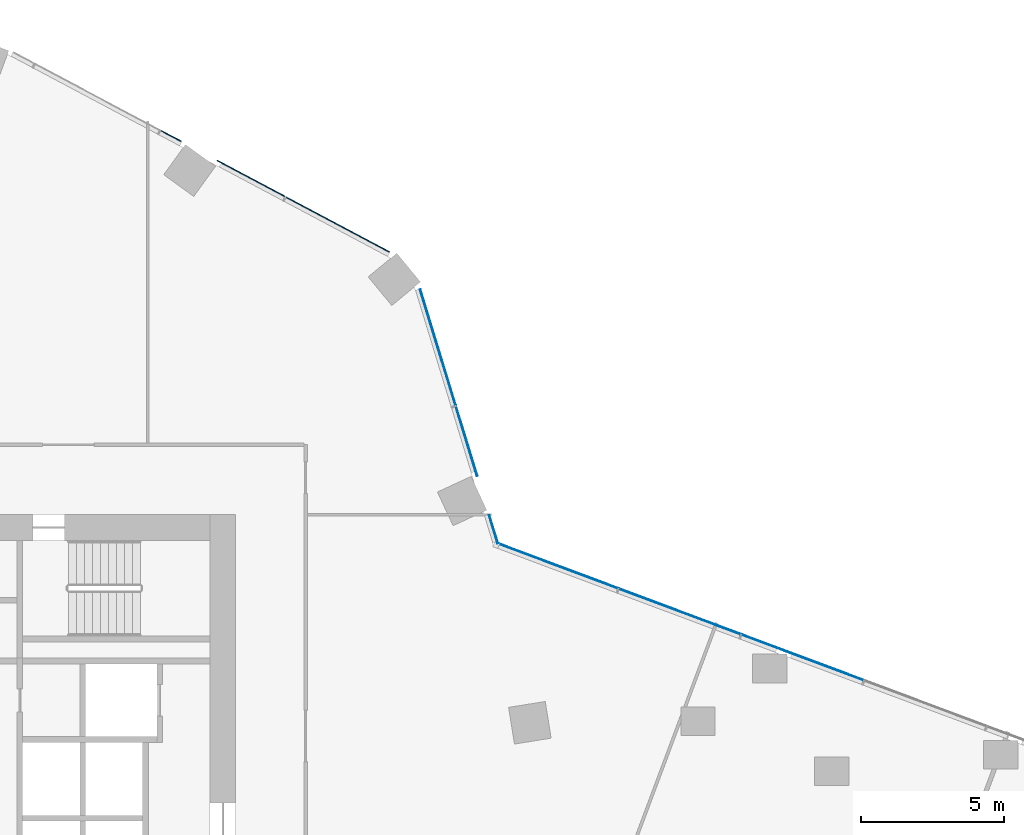
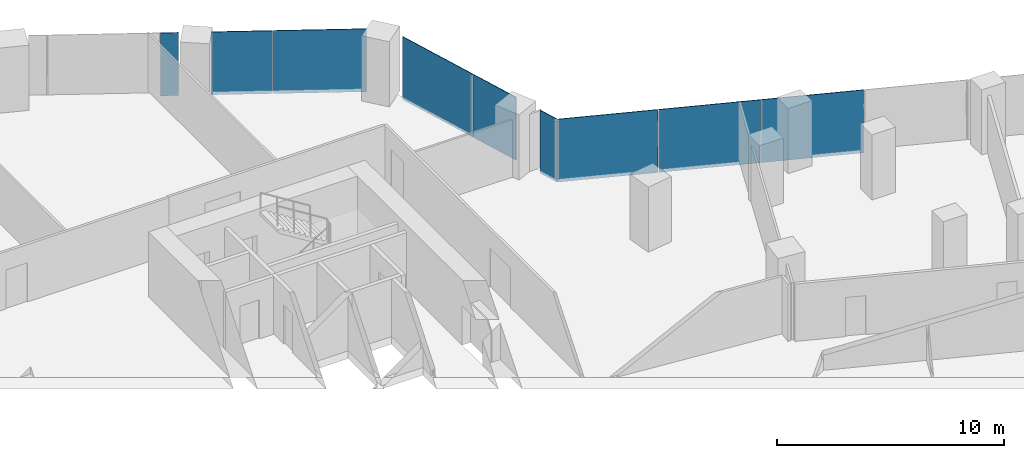
# One storey, part 22 of 31: 9 plates, 3 elements without a shape of their own.
"""IFC4 building model written with IfcOpenShell, lengths in metres."""

from ifc_helpers import new_model, si_unit, direction, frame, origin, origin_2d, place, context, subcontext, project, spatial, rectangle, extrude, material, layer, layer_set, type_object, element, aggregate, save


model = new_model("IFC4")

# Units and contexts
model_context = context("Model", 3, precision=1e-05, world=origin(), true_north=direction((0.0, 1.0)))
body_context = subcontext(model_context, "Body", "Model", "MODEL_VIEW")
ifc_project = project(units=[si_unit("LENGTHUNIT", "METRE"), si_unit("AREAUNIT", "SQUARE_METRE"), si_unit("VOLUMEUNIT", "CUBIC_METRE"), si_unit("PLANEANGLEUNIT", "RADIAN"), si_unit("MASSUNIT", "GRAM", prefix="KILO")], contexts=[model_context])

# Site, building, storey
site_placement = place(None, origin())
site = spatial("IfcSite", under=ifc_project, at=site_placement, CompositionType="ELEMENT")
building_placement = place(site_placement, origin())
building = spatial("IfcBuilding", under=site, at=building_placement, Name="Orlundy Tower", CompositionType="ELEMENT")
storey_placement = place(building_placement, frame((0.0, 0.0, 87.699951171875)))
storey = spatial("IfcBuildingStorey", under=building, at=storey_placement, Name="L21", CompositionType="ELEMENT", Elevation=87.699951171875)

# Curtain wall, plates
ifc_material_1 = material(Name="Aluminium bronze anodised", Category="aluminium")
curtain_wall_type = type_object("IfcCurtainWallType", Name="CW1 wall", PredefinedType="NOTDEFINED", material=ifc_material_1)
curtain_wall_1_placement = place(storey_placement, origin())
curtain_wall_1 = element("IfcCurtainWall", 1, at=curtain_wall_1_placement, inside=storey, type_object=curtain_wall_type, Name="CW1 run 04", PredefinedType="NOTDEFINED")
ifc_material_2 = material(Name="Tinted glass", Category="glass")
ifc_layer = layer(ifc_material_2, 0.031982421875)
ifc_layer_set = layer_set([ifc_layer], Name="CW1 glass panel 32")
plate_type = type_object("IfcPlateType", Name="CW1 glass panel 32", PredefinedType="CURTAIN_PANEL", material=ifc_layer_set)
plate_1_placement = place(storey_placement, frame((16.729248046875, 25.267822265625, -0.27978515625), z_axis=(0.0, 0.0, 1.0), x_axis=(0.882961465544, -0.469445471129, 0.0)))
plate_1 = element("IfcPlate", 2, at=plate_1_placement, type_object=plate_type, Name="CW1 panel", PredefinedType="CURTAIN_PANEL", context=body_context, shape_type="SweptSolid", body=[
    extrude(rectangle(XDim=0.796875, YDim=0.031982421875, at=origin_2d()), origin(), (0.0, 0.0, 1.0), 3.3798828125),
])
plate_2_placement = place(storey_placement, frame((19.534912109375, 23.776123046875, -0.27978515625), z_axis=(0.0, 0.0, 1.0), x_axis=(0.882961465544, -0.469445471129, 0.0)))
plate_2 = element("IfcPlate", 3, at=plate_2_placement, type_object=plate_type, Name="CW1 panel", PredefinedType="CURTAIN_PANEL", context=body_context, shape_type="SweptSolid", body=[
    extrude(rectangle(XDim=2.68896484375, YDim=0.031982421875, at=origin_2d()), origin(), (0.0, 0.0, 1.0), 3.3798828125),
])
plate_3_placement = place(storey_placement, frame((22.57373046875, 22.160400390625, -0.27978515625), z_axis=(0.0, 0.0, 1.0), x_axis=(0.882961465544, -0.469445471129, 0.0)))
plate_3 = element("IfcPlate", 4, at=plate_3_placement, type_object=plate_type, Name="CW1 panel", PredefinedType="CURTAIN_PANEL", context=body_context, shape_type="SweptSolid", body=[
    extrude(rectangle(XDim=4.09423828125, YDim=0.031982421875, at=origin_2d()), origin(), (0.0, 0.0, 1.0), 3.3798828125),
])
aggregate(curtain_wall_1, [plate_1, plate_2, plate_3])

curtain_wall_2_placement = place(storey_placement, origin())
curtain_wall_2 = element("IfcCurtainWall", 5, at=curtain_wall_2_placement, inside=storey, type_object=curtain_wall_type, Name="CW1 run 05", PredefinedType="NOTDEFINED")
plate_4_placement = place(storey_placement, frame((26.08203125, 17.859619140625, -0.27978515625), z_axis=(0.0, 0.0, 1.0), x_axis=(0.292362470314, -0.956307579156, 0.0)))
plate_4 = element("IfcPlate", 6, at=plate_4_placement, type_object=plate_type, Name="CW1 panel", PredefinedType="CURTAIN_PANEL", context=body_context, shape_type="SweptSolid", body=[
    extrude(rectangle(XDim=4.24072265625, YDim=0.031982421875, at=origin_2d()), origin(), (0.0, 0.0, 1.0), 3.3798828125),
])
plate_5_placement = place(storey_placement, frame((27.087646484375, 14.570068359375, -0.27978515625), z_axis=(0.0, 0.0, 1.0), x_axis=(0.292362470314, -0.956307579156, 0.0)))
plate_5 = element("IfcPlate", 7, at=plate_5_placement, type_object=plate_type, Name="CW1 panel", PredefinedType="CURTAIN_PANEL", context=body_context, shape_type="SweptSolid", body=[
    extrude(rectangle(XDim=2.53857421875, YDim=0.031982421875, at=origin_2d()), origin(), (0.0, 0.0, 1.0), 3.3798828125),
])
plate_6_placement = place(storey_placement, frame((28.03076171875, 11.48583984375, -0.27978515625), z_axis=(0.0, 0.0, 1.0), x_axis=(0.292362470314, -0.956307579156, 0.0)))
plate_6 = element("IfcPlate", 8, at=plate_6_placement, type_object=plate_type, Name="CW1 panel", PredefinedType="CURTAIN_PANEL", context=body_context, shape_type="SweptSolid", body=[
    extrude(rectangle(XDim=1.036376953125, YDim=0.031982421875, at=origin_2d()), origin(), (0.0, 0.0, 1.0), 3.3798828125),
])
aggregate(curtain_wall_2, [plate_4, plate_5, plate_6])

curtain_wall_3_placement = place(storey_placement, origin())
curtain_wall_3 = element("IfcCurtainWall", 9, at=curtain_wall_3_placement, inside=storey, type_object=curtain_wall_type, Name="CW1 run 06", PredefinedType="NOTDEFINED")
plate_7_placement = place(storey_placement, frame((30.28173828125, 10.205322265625, -0.27978515625), z_axis=(0.0, 0.0, 1.0), x_axis=(0.93667352363, -0.350203812273, 0.0)))
plate_7 = element("IfcPlate", 10, at=plate_7_placement, type_object=plate_type, Name="CW1 panel", PredefinedType="CURTAIN_PANEL", context=body_context, shape_type="SweptSolid", body=[
    extrude(rectangle(XDim=4.48291015625, YDim=0.031982421875, at=origin_2d()), origin(), (0.0, 0.0, 1.0), 3.3798828125),
])
plate_8_placement = place(storey_placement, frame((34.5537109375, 8.608154296875, -0.27978515625), z_axis=(0.0, 0.0, 1.0), x_axis=(0.93667352363, -0.350203812273, 0.0)))
plate_8 = element("IfcPlate", 11, at=plate_8_placement, type_object=plate_type, Name="CW1 panel", PredefinedType="CURTAIN_PANEL", context=body_context, shape_type="SweptSolid", body=[
    extrude(rectangle(XDim=4.538818359375, YDim=0.031982421875, at=origin_2d()), origin(), (0.0, 0.0, 1.0), 3.3798828125),
])
plate_9_placement = place(storey_placement, frame((38.851806640625, 7.001220703125, -0.27978515625), z_axis=(0.0, 0.0, 1.0), x_axis=(0.93667352363, -0.350203812273, 0.0)))
plate_9 = element("IfcPlate", 12, at=plate_9_placement, type_object=plate_type, Name="CW1 panel", PredefinedType="CURTAIN_PANEL", context=body_context, shape_type="SweptSolid", body=[
    extrude(rectangle(XDim=4.538818359375, YDim=0.031982421875, at=origin_2d()), origin(), (0.0, 0.0, 1.0), 3.3798828125),
])
aggregate(curtain_wall_3, [plate_7, plate_8, plate_9])

save(model, "model.ifc")
